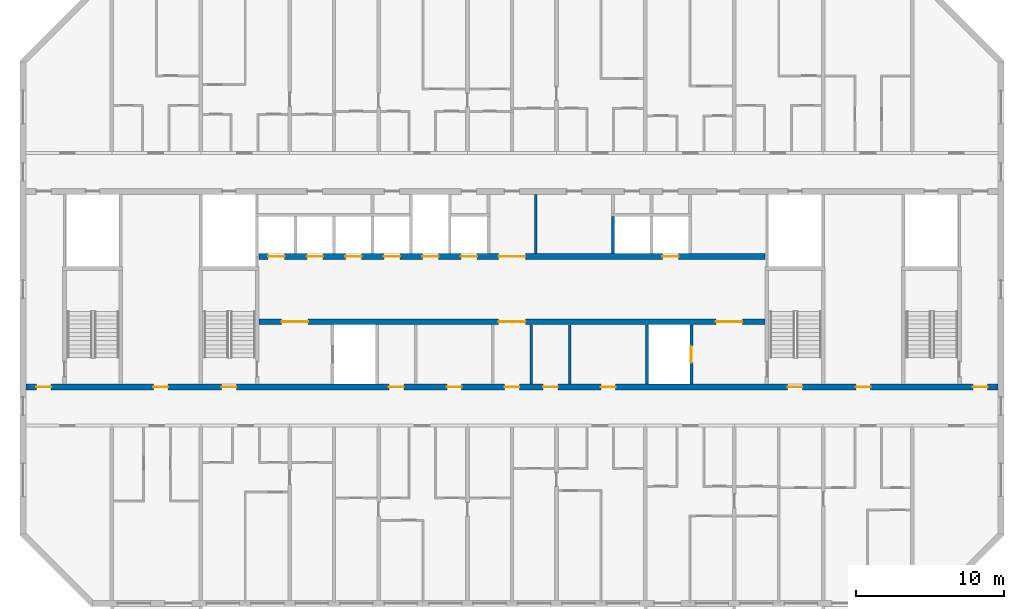
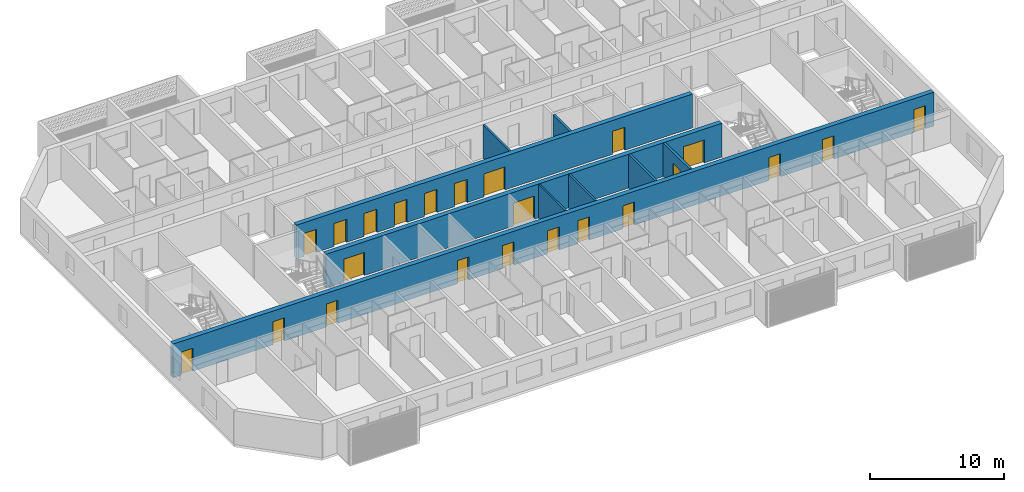
# One storey, part 6 of 28: 23 doors, 9 walls, 23 openings.
"""IFC4 building model written with IfcOpenShell, lengths in metres."""

from ifc_helpers import new_model, si_unit, direction, frame, frame_2d, origin, place, context, subcontext, project, spatial, rectangle, extrude, material, layer, layer_set, type_object, element, fill, save


model = new_model("IFC4")

# Units and contexts
model_context = context("Model", 3, precision=1e-05, world=origin(), true_north=direction((0.0, 1.0)))
body_context = subcontext(model_context, "Body", "Model", "MODEL_VIEW")
ifc_project = project(units=[si_unit("LENGTHUNIT", "METRE"), si_unit("AREAUNIT", "SQUARE_METRE"), si_unit("VOLUMEUNIT", "CUBIC_METRE"), si_unit("PLANEANGLEUNIT", "RADIAN"), si_unit("MASSUNIT", "GRAM", prefix="KILO")], contexts=[model_context])

# Site, building, storey
site_placement = place(None, origin())
site = spatial("IfcSite", under=ifc_project, at=site_placement, CompositionType="ELEMENT")
building_placement = place(site_placement, origin())
building = spatial("IfcBuilding", under=site, at=building_placement, Name="Poui Terraces", CompositionType="ELEMENT")
storey_placement = place(building_placement, frame((0.0, 0.0, 188.39990234375)))
storey = spatial("IfcBuildingStorey", under=building, at=storey_placement, Name="L52", CompositionType="ELEMENT", Elevation=188.39990234375)

# Wall, openings, doors
ifc_material_1 = material(Name="Concrete 50 MPa", Category="concrete")
ifc_layer_1 = layer(ifc_material_1, 0.39990234375)
ifc_layer_set_1 = layer_set([ifc_layer_1], Name="Concrete 50 MPa")
wall_type_1 = type_object("IfcWallType", Name="CORE WALL 400 50 MPA", PredefinedType="SOLIDWALL", material=ifc_layer_set_1)
wall_1_placement = place(storey_placement, frame((33.925048828125, 19.0, 0.0), z_axis=(0.0, 0.0, 1.0), x_axis=(1.0, 0.0, 0.0)))
wall_1 = element("IfcWall", 1, at=wall_1_placement, inside=storey, type_object=wall_type_1, Name="CORE WALL", PredefinedType="SOLIDWALL", context=body_context, shape_type="SweptSolid", body=[
    extrude(rectangle(XDim=34.14990234375, YDim=0.39990234375, at=frame_2d((17.074951171875, 0.0))), origin(), (0.0, 0.0, 1.0), 3.080078125),
])
opening_1_placement = place(wall_1_placement, frame((16.175048828125, 0.0, 0.0)))
opening_1 = element("IfcOpeningElement", 2, at=opening_1_placement, cuts=wall_1, Name="Opening FDD60", PredefinedType="OPENING", context=body_context, shape_type="SweptSolid", body=[
    extrude(rectangle(XDim=1.800048828125, YDim=2.10009765625, at=frame_2d((0.89990234375, 1.050048828125))), frame((0.0, 0.2099609375, 0.0), z_axis=(0.0, -1.0, 0.0), x_axis=(1.0, 0.0, 0.0)), (0.0, 0.0, 1.0), 0.419921875),
])
opening_2_placement = place(wall_1_placement, frame((1.52490234375, 0.0, 0.0)))
opening_2 = element("IfcOpeningElement", 3, at=opening_2_placement, cuts=wall_1, Name="Opening FDD60", PredefinedType="OPENING", context=body_context, shape_type="SweptSolid", body=[
    extrude(rectangle(XDim=1.800048828125, YDim=2.10009765625, at=frame_2d((0.89990234375, 1.050048828125))), frame((0.0, 0.2099609375, 0.0), z_axis=(0.0, -1.0, 0.0), x_axis=(1.0, 0.0, 0.0)), (0.0, 0.0, 1.0), 0.419921875),
])
opening_3_placement = place(wall_1_placement, frame((30.824951171875, 0.0, 0.0)))
opening_3 = element("IfcOpeningElement", 4, at=opening_3_placement, cuts=wall_1, Name="Opening FDD60", PredefinedType="OPENING", context=body_context, shape_type="SweptSolid", body=[
    extrude(rectangle(XDim=1.800048828125, YDim=2.10009765625, at=frame_2d((0.89990234375, 1.050048828125))), frame((0.0, 0.2099609375, 0.0), z_axis=(0.0, -1.0, 0.0), x_axis=(1.0, 0.0, 0.0)), (0.0, 0.0, 1.0), 0.419921875),
])
ifc_material_2 = material(Name="Steel fire door", Category="steel")
door_type_1 = type_object("IfcDoorType", Name="DOUBLE LOBBY FIRE DOOR 1800 X 2100", OperationType="DOUBLE_DOOR_SINGLE_SWING", PredefinedType="DOOR", material=ifc_material_2)
door_1_placement = place(opening_1_placement, frame((1.800048828125, 0.0, 0.0), z_axis=(0.0, 0.0, 1.0), x_axis=(-1.0, 0.0, 0.0)))
door_1 = element("IfcDoor", 5, at=door_1_placement, inside=storey, type_object=door_type_1, Name="DOUBLE LOBBY FIRE DOOR 107", OperationType="DOUBLE_DOOR_SINGLE_SWING", OverallHeight=2.10009765625, OverallWidth=1.800048828125, PredefinedType="DOOR", context=body_context, shape_type="SweptSolid", body=[
    extrude(rectangle(XDim=1.800048828125, YDim=2.10009765625, at=frame_2d((0.89990234375, 1.050048828125))), frame((0.0, 0.02490234375, 0.0), z_axis=(0.0, -1.0, 0.0), x_axis=(1.0, 0.0, 0.0)), (0.0, 0.0, 1.0), 0.050048828125),
])
fill(opening_1, door_1)
door_2_placement = place(opening_2_placement, origin())
door_2 = element("IfcDoor", 6, at=door_2_placement, inside=storey, type_object=door_type_1, Name="DOUBLE LOBBY FIRE DOOR 109", OperationType="DOUBLE_DOOR_SINGLE_SWING", OverallHeight=2.10009765625, OverallWidth=1.800048828125, PredefinedType="DOOR", context=body_context, shape_type="SweptSolid", body=[
    extrude(rectangle(XDim=1.800048828125, YDim=2.10009765625, at=frame_2d((0.89990234375, 1.050048828125))), frame((0.0, 0.02490234375, 0.0), z_axis=(0.0, -1.0, 0.0), x_axis=(1.0, 0.0, 0.0)), (0.0, 0.0, 1.0), 0.050048828125),
])
fill(opening_2, door_2)
door_3_placement = place(opening_3_placement, origin())
door_3 = element("IfcDoor", 7, at=door_3_placement, inside=storey, type_object=door_type_1, Name="DOUBLE LOBBY FIRE DOOR 116", OperationType="DOUBLE_DOOR_SINGLE_SWING", OverallHeight=2.10009765625, OverallWidth=1.800048828125, PredefinedType="DOOR", context=body_context, shape_type="SweptSolid", body=[
    extrude(rectangle(XDim=1.800048828125, YDim=2.10009765625, at=frame_2d((0.89990234375, 1.050048828125))), frame((0.0, 0.02490234375, 0.0), z_axis=(0.0, -1.0, 0.0), x_axis=(1.0, 0.0, 0.0)), (0.0, 0.0, 1.0), 0.050048828125),
])
fill(opening_3, door_3)

wall_2_placement = place(storey_placement, frame((33.925048828125, 23.39990234375, 0.0), z_axis=(0.0, 0.0, 1.0), x_axis=(1.0, 0.0, 0.0)))
wall_2 = element("IfcWall", 8, at=wall_2_placement, inside=storey, type_object=wall_type_1, Name="CORE WALL", PredefinedType="SOLIDWALL", context=body_context, shape_type="SweptSolid", body=[
    extrude(rectangle(XDim=34.14990234375, YDim=0.39990234375, at=frame_2d((17.074951171875, 0.0))), origin(), (0.0, 0.0, 1.0), 3.080078125),
])
opening_4_placement = place(wall_2_placement, frame((16.175048828125, 0.0, 0.0)))
opening_4 = element("IfcOpeningElement", 9, at=opening_4_placement, cuts=wall_2, Name="Opening FDD60", PredefinedType="OPENING", context=body_context, shape_type="SweptSolid", body=[
    extrude(rectangle(XDim=1.800048828125, YDim=2.10009765625, at=frame_2d((0.89990234375, 1.050048828125))), frame((0.0, 0.2099609375, 0.0), z_axis=(0.0, -1.0, 0.0), x_axis=(1.0, 0.0, 0.0)), (0.0, 0.0, 1.0), 0.419921875),
])
opening_5_placement = place(wall_2_placement, frame((0.625, 0.0, 0.0)))
opening_5 = element("IfcOpeningElement", 10, at=opening_5_placement, cuts=wall_2, Name="Opening LD", PredefinedType="OPENING", context=body_context, shape_type="SweptSolid", body=[
    extrude(rectangle(XDim=1.10009765625, YDim=2.10009765625, at=frame_2d((0.550048828125, 1.050048828125))), frame((0.0, 0.2099609375, 0.0), z_axis=(0.0, -1.0, 0.0), x_axis=(1.0, 0.0, 0.0)), (0.0, 0.0, 1.0), 0.419921875),
])
opening_6_placement = place(wall_2_placement, frame((3.22509765625, 0.0, 0.0)))
opening_6 = element("IfcOpeningElement", 11, at=opening_6_placement, cuts=wall_2, Name="Opening LD", PredefinedType="OPENING", context=body_context, shape_type="SweptSolid", body=[
    extrude(rectangle(XDim=1.10009765625, YDim=2.10009765625, at=frame_2d((0.550048828125, 1.050048828125))), frame((0.0, 0.2099609375, 0.0), z_axis=(0.0, -1.0, 0.0), x_axis=(1.0, 0.0, 0.0)), (0.0, 0.0, 1.0), 0.419921875),
])
opening_7_placement = place(wall_2_placement, frame((5.824951171875, 0.0, 0.0)))
opening_7 = element("IfcOpeningElement", 12, at=opening_7_placement, cuts=wall_2, Name="Opening LD", PredefinedType="OPENING", context=body_context, shape_type="SweptSolid", body=[
    extrude(rectangle(XDim=1.10009765625, YDim=2.10009765625, at=frame_2d((0.550048828125, 1.050048828125))), frame((0.0, 0.2099609375, 0.0), z_axis=(0.0, -1.0, 0.0), x_axis=(1.0, 0.0, 0.0)), (0.0, 0.0, 1.0), 0.419921875),
])
opening_8_placement = place(wall_2_placement, frame((8.425048828125, 0.0, 0.0)))
opening_8 = element("IfcOpeningElement", 13, at=opening_8_placement, cuts=wall_2, Name="Opening LD", PredefinedType="OPENING", context=body_context, shape_type="SweptSolid", body=[
    extrude(rectangle(XDim=1.10009765625, YDim=2.10009765625, at=frame_2d((0.550048828125, 1.050048828125))), frame((0.0, 0.2099609375, 0.0), z_axis=(0.0, -1.0, 0.0), x_axis=(1.0, 0.0, 0.0)), (0.0, 0.0, 1.0), 0.419921875),
])
opening_9_placement = place(wall_2_placement, frame((11.02490234375, 0.0, 0.0)))
opening_9 = element("IfcOpeningElement", 14, at=opening_9_placement, cuts=wall_2, Name="Opening LD", PredefinedType="OPENING", context=body_context, shape_type="SweptSolid", body=[
    extrude(rectangle(XDim=1.10009765625, YDim=2.10009765625, at=frame_2d((0.550048828125, 1.050048828125))), frame((0.0, 0.2099609375, 0.0), z_axis=(0.0, -1.0, 0.0), x_axis=(1.0, 0.0, 0.0)), (0.0, 0.0, 1.0), 0.419921875),
])
opening_10_placement = place(wall_2_placement, frame((13.625, 0.0, 0.0)))
opening_10 = element("IfcOpeningElement", 15, at=opening_10_placement, cuts=wall_2, Name="Opening LD", PredefinedType="OPENING", context=body_context, shape_type="SweptSolid", body=[
    extrude(rectangle(XDim=1.10009765625, YDim=2.10009765625, at=frame_2d((0.550048828125, 1.050048828125))), frame((0.0, 0.2099609375, 0.0), z_axis=(0.0, -1.0, 0.0), x_axis=(1.0, 0.0, 0.0)), (0.0, 0.0, 1.0), 0.419921875),
])
opening_11_placement = place(wall_2_placement, frame((27.22509765625, 0.0, 0.0)))
opening_11 = element("IfcOpeningElement", 16, at=opening_11_placement, cuts=wall_2, Name="Opening LD", PredefinedType="OPENING", context=body_context, shape_type="SweptSolid", body=[
    extrude(rectangle(XDim=1.10009765625, YDim=2.10009765625, at=frame_2d((0.550048828125, 1.050048828125))), frame((0.0, 0.2099609375, 0.0), z_axis=(0.0, -1.0, 0.0), x_axis=(1.0, 0.0, 0.0)), (0.0, 0.0, 1.0), 0.419921875),
])
door_4_placement = place(opening_4_placement, origin())
door_4 = element("IfcDoor", 17, at=door_4_placement, inside=storey, type_object=door_type_1, Name="DOUBLE LOBBY FIRE DOOR 106", OperationType="DOUBLE_DOOR_SINGLE_SWING", OverallHeight=2.10009765625, OverallWidth=1.800048828125, PredefinedType="DOOR", context=body_context, shape_type="SweptSolid", body=[
    extrude(rectangle(XDim=1.800048828125, YDim=2.10009765625, at=frame_2d((0.89990234375, 1.050048828125))), frame((0.0, 0.02490234375, 0.0), z_axis=(0.0, -1.0, 0.0), x_axis=(1.0, 0.0, 0.0)), (0.0, 0.0, 1.0), 0.050048828125),
])
fill(opening_4, door_4)
ifc_material_3 = material(Name="Stainless steel sliding door", Category="steel")
door_type_2 = type_object("IfcDoorType", Name="LIFT LANDING DOOR 1100 X 2100", OperationType="DOUBLE_DOOR_SLIDING", PredefinedType="DOOR", material=ifc_material_3)
door_5_placement = place(opening_5_placement, origin())
door_5 = element("IfcDoor", 18, at=door_5_placement, inside=storey, type_object=door_type_2, Name="LANDING DOOR", OperationType="DOUBLE_DOOR_SLIDING", OverallHeight=2.10009765625, OverallWidth=1.10009765625, PredefinedType="DOOR", context=body_context, shape_type="SweptSolid", body=[
    extrude(rectangle(XDim=1.10009765625, YDim=2.10009765625, at=frame_2d((0.550048828125, 1.050048828125))), frame((0.0, 0.02490234375, 0.0), z_axis=(0.0, -1.0, 0.0), x_axis=(1.0, 0.0, 0.0)), (0.0, 0.0, 1.0), 0.050048828125),
])
fill(opening_5, door_5)
door_6_placement = place(opening_6_placement, origin())
door_6 = element("IfcDoor", 19, at=door_6_placement, inside=storey, type_object=door_type_2, Name="LANDING DOOR", OperationType="DOUBLE_DOOR_SLIDING", OverallHeight=2.10009765625, OverallWidth=1.10009765625, PredefinedType="DOOR", context=body_context, shape_type="SweptSolid", body=[
    extrude(rectangle(XDim=1.10009765625, YDim=2.10009765625, at=frame_2d((0.550048828125, 1.050048828125))), frame((0.0, 0.02490234375, 0.0), z_axis=(0.0, -1.0, 0.0), x_axis=(1.0, 0.0, 0.0)), (0.0, 0.0, 1.0), 0.050048828125),
])
fill(opening_6, door_6)
door_7_placement = place(opening_7_placement, origin())
door_7 = element("IfcDoor", 20, at=door_7_placement, inside=storey, type_object=door_type_2, Name="LANDING DOOR", OperationType="DOUBLE_DOOR_SLIDING", OverallHeight=2.10009765625, OverallWidth=1.10009765625, PredefinedType="DOOR", context=body_context, shape_type="SweptSolid", body=[
    extrude(rectangle(XDim=1.10009765625, YDim=2.10009765625, at=frame_2d((0.550048828125, 1.050048828125))), frame((0.0, 0.02490234375, 0.0), z_axis=(0.0, -1.0, 0.0), x_axis=(1.0, 0.0, 0.0)), (0.0, 0.0, 1.0), 0.050048828125),
])
fill(opening_7, door_7)
door_8_placement = place(opening_8_placement, origin())
door_8 = element("IfcDoor", 21, at=door_8_placement, inside=storey, type_object=door_type_2, Name="LANDING DOOR", OperationType="DOUBLE_DOOR_SLIDING", OverallHeight=2.10009765625, OverallWidth=1.10009765625, PredefinedType="DOOR", context=body_context, shape_type="SweptSolid", body=[
    extrude(rectangle(XDim=1.10009765625, YDim=2.10009765625, at=frame_2d((0.550048828125, 1.050048828125))), frame((0.0, 0.02490234375, 0.0), z_axis=(0.0, -1.0, 0.0), x_axis=(1.0, 0.0, 0.0)), (0.0, 0.0, 1.0), 0.050048828125),
])
fill(opening_8, door_8)
door_9_placement = place(opening_9_placement, origin())
door_9 = element("IfcDoor", 22, at=door_9_placement, inside=storey, type_object=door_type_2, Name="LANDING DOOR", OperationType="DOUBLE_DOOR_SLIDING", OverallHeight=2.10009765625, OverallWidth=1.10009765625, PredefinedType="DOOR", context=body_context, shape_type="SweptSolid", body=[
    extrude(rectangle(XDim=1.10009765625, YDim=2.10009765625, at=frame_2d((0.550048828125, 1.050048828125))), frame((0.0, 0.02490234375, 0.0), z_axis=(0.0, -1.0, 0.0), x_axis=(1.0, 0.0, 0.0)), (0.0, 0.0, 1.0), 0.050048828125),
])
fill(opening_9, door_9)
door_10_placement = place(opening_10_placement, origin())
door_10 = element("IfcDoor", 23, at=door_10_placement, inside=storey, type_object=door_type_2, Name="LANDING DOOR", OperationType="DOUBLE_DOOR_SLIDING", OverallHeight=2.10009765625, OverallWidth=1.10009765625, PredefinedType="DOOR", context=body_context, shape_type="SweptSolid", body=[
    extrude(rectangle(XDim=1.10009765625, YDim=2.10009765625, at=frame_2d((0.550048828125, 1.050048828125))), frame((0.0, 0.02490234375, 0.0), z_axis=(0.0, -1.0, 0.0), x_axis=(1.0, 0.0, 0.0)), (0.0, 0.0, 1.0), 0.050048828125),
])
fill(opening_10, door_10)
door_11_placement = place(opening_11_placement, origin())
door_11 = element("IfcDoor", 24, at=door_11_placement, inside=storey, type_object=door_type_2, Name="LANDING DOOR", OperationType="DOUBLE_DOOR_SLIDING", OverallHeight=2.10009765625, OverallWidth=1.10009765625, PredefinedType="DOOR", context=body_context, shape_type="SweptSolid", body=[
    extrude(rectangle(XDim=1.10009765625, YDim=2.10009765625, at=frame_2d((0.550048828125, 1.050048828125))), frame((0.0, 0.02490234375, 0.0), z_axis=(0.0, -1.0, 0.0), x_axis=(1.0, 0.0, 0.0)), (0.0, 0.0, 1.0), 0.050048828125),
])
fill(opening_11, door_11)

# Walls
ifc_material_4 = material(Name="Fire-rated plasterboard wall")
ifc_layer_2 = layer(ifc_material_4, 0.14990234375)
ifc_layer_set_2 = layer_set([ifc_layer_2], Name="Fire-rated plasterboard wall")
wall_type_2 = type_object("IfcWallType", Name="CORRIDOR WALL 150", PredefinedType="PARTITIONING", material=ifc_layer_set_2)
for number, where, z_axis, x_axis, name in (
    (25, (52.300048828125, 14.81005859375, 0.0), (0.0, 0.0, 1.0), (0.0, 1.0, 0.0), "CORRIDOR WALL 150"),
    (26, (52.60009765625, 23.610107421875, 0.0), (0.0, 0.0, 1.0), (0.0, 1.0, 0.0), "CORRIDOR WALL 150"),
):
    element("IfcWall", number, at=place(storey_placement, frame(where, z_axis=z_axis, x_axis=x_axis)), inside=storey, type_object=wall_type_2, Name=name, PredefinedType="PARTITIONING", context=body_context, shape_type="SweptSolid", body=[
        extrude(rectangle(XDim=3.97998046875, YDim=0.14990234375, at=frame_2d((1.989990234375, 0.0))), origin(), (0.0, 0.0, 1.0), 3.080078125),
    ])
ifc_material_5 = material(Name="Plasterboard partition")
ifc_layer_3 = layer(ifc_material_5, 0.14990234375)
ifc_layer_set_3 = layer_set([ifc_layer_3], Name="Plasterboard partition")
wall_type_3 = type_object("IfcWallType", Name="PARTITION WALL 150", PredefinedType="PARTITIONING", material=ifc_layer_set_3)
wall_3_placement = place(storey_placement, frame((54.89990234375, 14.81005859375, 0.0), z_axis=(0.0, 0.0, 1.0), x_axis=(0.0, 1.0, 0.0)))
element("IfcWall", 27, at=wall_3_placement, inside=storey, type_object=wall_type_3, Name="PARTITION WALL 150", PredefinedType="PARTITIONING", context=body_context, shape_type="SweptSolid", body=[
    extrude(rectangle(XDim=3.97998046875, YDim=0.14990234375, at=frame_2d((1.989990234375, 0.0))), origin(), (0.0, 0.0, 1.0), 3.080078125),
])
ifc_material_6 = material(Name="Fire-rated masonry shaft wall", Category="masonry")
ifc_layer_4 = layer(ifc_material_6, 0.199951171875)
ifc_layer_set_4 = layer_set([ifc_layer_4], Name="Fire-rated masonry shaft wall")
wall_type_4 = type_object("IfcWallType", Name="SHAFT WALL 200", PredefinedType="PARTITIONING", material=ifc_layer_set_4)
wall_4_placement = place(storey_placement, frame((57.800048828125, 23.610107421875, 0.0), z_axis=(0.0, 0.0, 1.0), x_axis=(0.0, 1.0, 0.0)))
element("IfcWall", 28, at=wall_4_placement, inside=storey, type_object=wall_type_4, Name="SHAFT WALL 200", PredefinedType="PARTITIONING", context=body_context, shape_type="SweptSolid", body=[
    extrude(rectangle(XDim=2.489990234375, YDim=0.199951171875, at=frame_2d((1.2451171875, 0.0))), origin(), (0.0, 0.0, 1.0), 3.080078125),
])
wall_5_placement = place(storey_placement, frame((60.10009765625, 14.81005859375, 0.0), z_axis=(0.0, 0.0, 1.0), x_axis=(0.0, 1.0, 0.0)))
element("IfcWall", 29, at=wall_5_placement, inside=storey, type_object=wall_type_4, Name="SHAFT WALL 200", PredefinedType="PARTITIONING", context=body_context, shape_type="SweptSolid", body=[
    extrude(rectangle(XDim=3.97998046875, YDim=0.199951171875, at=frame_2d((1.989990234375, 0.0))), origin(), (0.0, 0.0, 1.0), 3.080078125),
])

# Wall, opening, door
wall_6_placement = place(storey_placement, frame((63.10009765625, 14.81005859375, 0.0), z_axis=(0.0, 0.0, 1.0), x_axis=(0.0, 1.0, 0.0)))
wall_6 = element("IfcWall", 30, at=wall_6_placement, inside=storey, type_object=wall_type_4, Name="SHAFT WALL 200", PredefinedType="PARTITIONING", context=body_context, shape_type="SweptSolid", body=[
    extrude(rectangle(XDim=3.97998046875, YDim=0.199951171875, at=frame_2d((1.989990234375, 0.0))), origin(), (0.0, 0.0, 1.0), 3.080078125),
])
opening_12_placement = place(wall_6_placement, frame((1.43994140625, 0.0, 0.0)))
opening_12 = element("IfcOpeningElement", 31, at=opening_12_placement, cuts=wall_6, Name="Opening LD", PredefinedType="OPENING", context=body_context, shape_type="SweptSolid", body=[
    extrude(rectangle(XDim=1.10009765625, YDim=2.10009765625, at=frame_2d((0.550048828125, 1.050048828125))), frame((0.0, 0.10986328125, 0.0), z_axis=(0.0, -1.0, 0.0), x_axis=(1.0, 0.0, 0.0)), (0.0, 0.0, 1.0), 0.219970703125),
])
door_12_placement = place(opening_12_placement, origin())
door_12 = element("IfcDoor", 32, at=door_12_placement, inside=storey, type_object=door_type_2, Name="LANDING DOOR", OperationType="DOUBLE_DOOR_SLIDING", OverallHeight=2.10009765625, OverallWidth=1.10009765625, PredefinedType="DOOR", context=body_context, shape_type="SweptSolid", body=[
    extrude(rectangle(XDim=1.10009765625, YDim=2.10009765625, at=frame_2d((0.550048828125, 1.050048828125))), frame((0.0, 0.02490234375, 0.0), z_axis=(0.0, -1.0, 0.0), x_axis=(1.0, 0.0, 0.0)), (0.0, 0.0, 1.0), 0.050048828125),
])
fill(opening_12, door_12)

# Wall, openings, doors
ifc_layer_5 = layer(ifc_material_1, 0.39990234375)
ifc_layer_set_5 = layer_set([ifc_layer_5], Name="Concrete 50 MPa")
wall_type_5 = type_object("IfcWallType", Name="SPINE WALL 400 50 MPA", PredefinedType="SOLIDWALL", material=ifc_layer_set_5)
wall_7_placement = place(storey_placement, frame((18.199951171875, 14.60009765625, 0.0), z_axis=(0.0, 0.0, 1.0), x_axis=(1.0, 0.0, 0.0)))
wall_7 = element("IfcWall", 33, at=wall_7_placement, inside=storey, type_object=wall_type_5, Name="SPINE WALL", PredefinedType="SOLIDWALL", context=body_context, shape_type="SweptSolid", body=[
    extrude(rectangle(XDim=65.60009765625, YDim=0.39990234375, at=frame_2d((32.800048828125, 0.0))), origin(), (0.0, 0.0, 1.0), 3.080078125),
])
opening_13_placement = place(wall_7_placement, frame((0.699951171875, 0.0, 0.0)))
opening_13 = element("IfcOpeningElement", 34, at=opening_13_placement, cuts=wall_7, Name="Opening FDL", PredefinedType="OPENING", context=body_context, shape_type="SweptSolid", body=[
    extrude(rectangle(XDim=1.0, YDim=2.10009765625, at=frame_2d((0.5, 1.050048828125))), frame((0.0, 0.2099609375, 0.0), z_axis=(0.0, -1.0, 0.0), x_axis=(1.0, 0.0, 0.0)), (0.0, 0.0, 1.0), 0.419921875),
])
opening_14_placement = place(wall_7_placement, frame((8.60009765625, 0.0, 0.0)))
opening_14 = element("IfcOpeningElement", 35, at=opening_14_placement, cuts=wall_7, Name="Opening D100", PredefinedType="OPENING", context=body_context, shape_type="SweptSolid", body=[
    extrude(rectangle(XDim=1.0, YDim=2.10009765625, at=frame_2d((0.5, 1.050048828125))), frame((0.0, 0.2099609375, 0.0), z_axis=(0.0, -1.0, 0.0), x_axis=(1.0, 0.0, 0.0)), (0.0, 0.0, 1.0), 0.419921875),
])
opening_15_placement = place(wall_7_placement, frame((13.199951171875, 0.0, 0.0)))
opening_15 = element("IfcOpeningElement", 36, at=opening_15_placement, cuts=wall_7, Name="Opening FD60S", PredefinedType="OPENING", context=body_context, shape_type="SweptSolid", body=[
    extrude(rectangle(XDim=1.0, YDim=2.10009765625, at=frame_2d((0.5, 1.050048828125))), frame((0.0, 0.2099609375, 0.0), z_axis=(0.0, -1.0, 0.0), x_axis=(1.0, 0.0, 0.0)), (0.0, 0.0, 1.0), 0.419921875),
])
opening_16_placement = place(wall_7_placement, frame((24.5, 0.0, 0.0)))
opening_16 = element("IfcOpeningElement", 37, at=opening_16_placement, cuts=wall_7, Name="Opening FD60", PredefinedType="OPENING", context=body_context, shape_type="SweptSolid", body=[
    extrude(rectangle(XDim=1.0, YDim=2.10009765625, at=frame_2d((0.5, 1.050048828125))), frame((0.0, 0.2099609375, 0.0), z_axis=(0.0, -1.0, 0.0), x_axis=(1.0, 0.0, 0.0)), (0.0, 0.0, 1.0), 0.419921875),
])
opening_17_placement = place(wall_7_placement, frame((28.39990234375, 0.0, 0.0)))
opening_17 = element("IfcOpeningElement", 38, at=opening_17_placement, cuts=wall_7, Name="Opening FD60", PredefinedType="OPENING", context=body_context, shape_type="SweptSolid", body=[
    extrude(rectangle(XDim=1.0, YDim=2.10009765625, at=frame_2d((0.5, 1.050048828125))), frame((0.0, 0.2099609375, 0.0), z_axis=(0.0, -1.0, 0.0), x_axis=(1.0, 0.0, 0.0)), (0.0, 0.0, 1.0), 0.419921875),
])
opening_18_placement = place(wall_7_placement, frame((32.300048828125, 0.0, 0.0)))
opening_18 = element("IfcOpeningElement", 39, at=opening_18_placement, cuts=wall_7, Name="Opening FDL", PredefinedType="OPENING", context=body_context, shape_type="SweptSolid", body=[
    extrude(rectangle(XDim=1.0, YDim=2.10009765625, at=frame_2d((0.5, 1.050048828125))), frame((0.0, 0.2099609375, 0.0), z_axis=(0.0, -1.0, 0.0), x_axis=(1.0, 0.0, 0.0)), (0.0, 0.0, 1.0), 0.419921875),
])
opening_19_placement = place(wall_7_placement, frame((34.89990234375, 0.0, 0.0)))
opening_19 = element("IfcOpeningElement", 40, at=opening_19_placement, cuts=wall_7, Name="Opening FD60", PredefinedType="OPENING", context=body_context, shape_type="SweptSolid", body=[
    extrude(rectangle(XDim=1.0, YDim=2.10009765625, at=frame_2d((0.5, 1.050048828125))), frame((0.0, 0.2099609375, 0.0), z_axis=(0.0, -1.0, 0.0), x_axis=(1.0, 0.0, 0.0)), (0.0, 0.0, 1.0), 0.419921875),
])
opening_20_placement = place(wall_7_placement, frame((38.800048828125, 0.0, 0.0)))
opening_20 = element("IfcOpeningElement", 41, at=opening_20_placement, cuts=wall_7, Name="Opening FD60", PredefinedType="OPENING", context=body_context, shape_type="SweptSolid", body=[
    extrude(rectangle(XDim=1.0, YDim=2.10009765625, at=frame_2d((0.5, 1.050048828125))), frame((0.0, 0.2099609375, 0.0), z_axis=(0.0, -1.0, 0.0), x_axis=(1.0, 0.0, 0.0)), (0.0, 0.0, 1.0), 0.419921875),
])
opening_21_placement = place(wall_7_placement, frame((51.39990234375, 0.0, 0.0)))
opening_21 = element("IfcOpeningElement", 42, at=opening_21_placement, cuts=wall_7, Name="Opening FD60S", PredefinedType="OPENING", context=body_context, shape_type="SweptSolid", body=[
    extrude(rectangle(XDim=1.0, YDim=2.10009765625, at=frame_2d((0.5, 1.050048828125))), frame((0.0, 0.2099609375, 0.0), z_axis=(0.0, -1.0, 0.0), x_axis=(1.0, 0.0, 0.0)), (0.0, 0.0, 1.0), 0.419921875),
])
opening_22_placement = place(wall_7_placement, frame((56.0, 0.0, 0.0)))
opening_22 = element("IfcOpeningElement", 43, at=opening_22_placement, cuts=wall_7, Name="Opening D100", PredefinedType="OPENING", context=body_context, shape_type="SweptSolid", body=[
    extrude(rectangle(XDim=1.0, YDim=2.10009765625, at=frame_2d((0.5, 1.050048828125))), frame((0.0, 0.2099609375, 0.0), z_axis=(0.0, -1.0, 0.0), x_axis=(1.0, 0.0, 0.0)), (0.0, 0.0, 1.0), 0.419921875),
])
opening_23_placement = place(wall_7_placement, frame((63.89990234375, 0.0, 0.0)))
opening_23 = element("IfcOpeningElement", 44, at=opening_23_placement, cuts=wall_7, Name="Opening FDL", PredefinedType="OPENING", context=body_context, shape_type="SweptSolid", body=[
    extrude(rectangle(XDim=1.0, YDim=2.10009765625, at=frame_2d((0.5, 1.050048828125))), frame((0.0, 0.2099609375, 0.0), z_axis=(0.0, -1.0, 0.0), x_axis=(1.0, 0.0, 0.0)), (0.0, 0.0, 1.0), 0.419921875),
])
ifc_material_7 = material(Name="Solid core timber door", Category="wood")
door_type_3 = type_object("IfcDoorType", Name="ACCESSIBLE INTERNAL DOOR 1000 X 2100", OperationType="NOTDEFINED", PredefinedType="DOOR", material=ifc_material_7)
door_13_placement = place(opening_14_placement, frame((1.0, 0.0, 0.0), z_axis=(0.0, 0.0, 1.0), x_axis=(-1.0, 0.0, 0.0)))
door_13 = element("IfcDoor", 45, at=door_13_placement, inside=storey, type_object=door_type_3, Name="ACCESSIBLE INTERNAL DOOR 016", OperationType="SINGLE_SWING_RIGHT", OverallHeight=2.10009765625, OverallWidth=1.0, PredefinedType="DOOR", context=body_context, shape_type="SweptSolid", body=[
    extrude(rectangle(XDim=1.0, YDim=2.10009765625, at=frame_2d((0.5, 1.050048828125))), frame((0.0, 0.02490234375, 0.0), z_axis=(0.0, -1.0, 0.0), x_axis=(1.0, 0.0, 0.0)), (0.0, 0.0, 1.0), 0.050048828125),
])
fill(opening_14, door_13)
door_14_placement = place(opening_22_placement, frame((1.0, 0.0, 0.0), z_axis=(0.0, 0.0, 1.0), x_axis=(-1.0, 0.0, 0.0)))
door_14 = element("IfcDoor", 46, at=door_14_placement, inside=storey, type_object=door_type_3, Name="ACCESSIBLE INTERNAL DOOR 024", OperationType="SINGLE_SWING_LEFT", OverallHeight=2.10009765625, OverallWidth=1.0, PredefinedType="DOOR", context=body_context, shape_type="SweptSolid", body=[
    extrude(rectangle(XDim=1.0, YDim=2.10009765625, at=frame_2d((0.5, 1.050048828125))), frame((0.0, 0.02490234375, 0.0), z_axis=(0.0, -1.0, 0.0), x_axis=(1.0, 0.0, 0.0)), (0.0, 0.0, 1.0), 0.050048828125),
])
fill(opening_22, door_14)
door_type_4 = type_object("IfcDoorType", Name="LOBBY FIRE DOOR 1000 X 2100", OperationType="NOTDEFINED", PredefinedType="DOOR", material=ifc_material_2)
door_15_placement = place(opening_13_placement, frame((1.0, 0.0, 0.0), z_axis=(0.0, 0.0, 1.0), x_axis=(-1.0, 0.0, 0.0)))
door_15 = element("IfcDoor", 47, at=door_15_placement, inside=storey, type_object=door_type_4, Name="LOBBY FIRE DOOR 015", OperationType="SINGLE_SWING_RIGHT", OverallHeight=2.10009765625, OverallWidth=1.0, PredefinedType="DOOR", context=body_context, shape_type="SweptSolid", body=[
    extrude(rectangle(XDim=1.0, YDim=2.10009765625, at=frame_2d((0.5, 1.050048828125))), frame((0.0, 0.02490234375, 0.0), z_axis=(0.0, -1.0, 0.0), x_axis=(1.0, 0.0, 0.0)), (0.0, 0.0, 1.0), 0.050048828125),
])
fill(opening_13, door_15)
door_16_placement = place(opening_18_placement, frame((1.0, 0.0, 0.0), z_axis=(0.0, 0.0, 1.0), x_axis=(-1.0, 0.0, 0.0)))
door_16 = element("IfcDoor", 48, at=door_16_placement, inside=storey, type_object=door_type_4, Name="LOBBY FIRE DOOR 020", OperationType="SINGLE_SWING_LEFT", OverallHeight=2.10009765625, OverallWidth=1.0, PredefinedType="DOOR", context=body_context, shape_type="SweptSolid", body=[
    extrude(rectangle(XDim=1.0, YDim=2.10009765625, at=frame_2d((0.5, 1.050048828125))), frame((0.0, 0.02490234375, 0.0), z_axis=(0.0, -1.0, 0.0), x_axis=(1.0, 0.0, 0.0)), (0.0, 0.0, 1.0), 0.050048828125),
])
fill(opening_18, door_16)
door_17_placement = place(opening_23_placement, frame((1.0, 0.0, 0.0), z_axis=(0.0, 0.0, 1.0), x_axis=(-1.0, 0.0, 0.0)))
door_17 = element("IfcDoor", 49, at=door_17_placement, inside=storey, type_object=door_type_4, Name="LOBBY FIRE DOOR 025", OperationType="SINGLE_SWING_LEFT", OverallHeight=2.10009765625, OverallWidth=1.0, PredefinedType="DOOR", context=body_context, shape_type="SweptSolid", body=[
    extrude(rectangle(XDim=1.0, YDim=2.10009765625, at=frame_2d((0.5, 1.050048828125))), frame((0.0, 0.02490234375, 0.0), z_axis=(0.0, -1.0, 0.0), x_axis=(1.0, 0.0, 0.0)), (0.0, 0.0, 1.0), 0.050048828125),
])
fill(opening_23, door_17)
door_type_5 = type_object("IfcDoorType", Name="SERVICE ROOM FIRE DOOR 1000 X 2100", OperationType="NOTDEFINED", PredefinedType="DOOR", material=ifc_material_2)
door_18_placement = place(opening_16_placement, frame((1.0, 0.0, 0.0), z_axis=(0.0, 0.0, 1.0), x_axis=(-1.0, 0.0, 0.0)))
door_18 = element("IfcDoor", 50, at=door_18_placement, inside=storey, type_object=door_type_5, Name="SERVICE ROOM FIRE DOOR 018", OperationType="SINGLE_SWING_LEFT", OverallHeight=2.10009765625, OverallWidth=1.0, PredefinedType="DOOR", context=body_context, shape_type="SweptSolid", body=[
    extrude(rectangle(XDim=1.0, YDim=2.10009765625, at=frame_2d((0.5, 1.050048828125))), frame((0.0, 0.02490234375, 0.0), z_axis=(0.0, -1.0, 0.0), x_axis=(1.0, 0.0, 0.0)), (0.0, 0.0, 1.0), 0.050048828125),
])
fill(opening_16, door_18)
door_19_placement = place(opening_17_placement, frame((1.0, 0.0, 0.0), z_axis=(0.0, 0.0, 1.0), x_axis=(-1.0, 0.0, 0.0)))
door_19 = element("IfcDoor", 51, at=door_19_placement, inside=storey, type_object=door_type_5, Name="SERVICE ROOM FIRE DOOR 019", OperationType="SINGLE_SWING_RIGHT", OverallHeight=2.10009765625, OverallWidth=1.0, PredefinedType="DOOR", context=body_context, shape_type="SweptSolid", body=[
    extrude(rectangle(XDim=1.0, YDim=2.10009765625, at=frame_2d((0.5, 1.050048828125))), frame((0.0, 0.02490234375, 0.0), z_axis=(0.0, -1.0, 0.0), x_axis=(1.0, 0.0, 0.0)), (0.0, 0.0, 1.0), 0.050048828125),
])
fill(opening_17, door_19)
door_20_placement = place(opening_19_placement, frame((1.0, 0.0, 0.0), z_axis=(0.0, 0.0, 1.0), x_axis=(-1.0, 0.0, 0.0)))
door_20 = element("IfcDoor", 52, at=door_20_placement, inside=storey, type_object=door_type_5, Name="SERVICE ROOM FIRE DOOR 021", OperationType="SINGLE_SWING_LEFT", OverallHeight=2.10009765625, OverallWidth=1.0, PredefinedType="DOOR", context=body_context, shape_type="SweptSolid", body=[
    extrude(rectangle(XDim=1.0, YDim=2.10009765625, at=frame_2d((0.5, 1.050048828125))), frame((0.0, 0.02490234375, 0.0), z_axis=(0.0, -1.0, 0.0), x_axis=(1.0, 0.0, 0.0)), (0.0, 0.0, 1.0), 0.050048828125),
])
fill(opening_19, door_20)
door_21_placement = place(opening_20_placement, frame((1.0, 0.0, 0.0), z_axis=(0.0, 0.0, 1.0), x_axis=(-1.0, 0.0, 0.0)))
door_21 = element("IfcDoor", 53, at=door_21_placement, inside=storey, type_object=door_type_5, Name="SERVICE ROOM FIRE DOOR 022", OperationType="SINGLE_SWING_RIGHT", OverallHeight=2.10009765625, OverallWidth=1.0, PredefinedType="DOOR", context=body_context, shape_type="SweptSolid", body=[
    extrude(rectangle(XDim=1.0, YDim=2.10009765625, at=frame_2d((0.5, 1.050048828125))), frame((0.0, 0.02490234375, 0.0), z_axis=(0.0, -1.0, 0.0), x_axis=(1.0, 0.0, 0.0)), (0.0, 0.0, 1.0), 0.050048828125),
])
fill(opening_20, door_21)
door_type_6 = type_object("IfcDoorType", Name="STAIR DOOR 1000 X 2100", OperationType="NOTDEFINED", PredefinedType="DOOR", material=ifc_material_2)
door_22_placement = place(opening_15_placement, origin())
door_22 = element("IfcDoor", 54, at=door_22_placement, inside=storey, type_object=door_type_6, Name="STAIR DOOR 017", OperationType="SINGLE_SWING_RIGHT", OverallHeight=2.10009765625, OverallWidth=1.0, PredefinedType="DOOR", context=body_context, shape_type="SweptSolid", body=[
    extrude(rectangle(XDim=1.0, YDim=2.10009765625, at=frame_2d((0.5, 1.050048828125))), frame((0.0, 0.02490234375, 0.0), z_axis=(0.0, -1.0, 0.0), x_axis=(1.0, 0.0, 0.0)), (0.0, 0.0, 1.0), 0.050048828125),
])
fill(opening_15, door_22)
door_23_placement = place(opening_21_placement, origin())
door_23 = element("IfcDoor", 55, at=door_23_placement, inside=storey, type_object=door_type_6, Name="STAIR DOOR 023", OperationType="SINGLE_SWING_RIGHT", OverallHeight=2.10009765625, OverallWidth=1.0, PredefinedType="DOOR", context=body_context, shape_type="SweptSolid", body=[
    extrude(rectangle(XDim=1.0, YDim=2.10009765625, at=frame_2d((0.5, 1.050048828125))), frame((0.0, 0.02490234375, 0.0), z_axis=(0.0, -1.0, 0.0), x_axis=(1.0, 0.0, 0.0)), (0.0, 0.0, 1.0), 0.050048828125),
])
fill(opening_21, door_23)

save(model, "model.ifc")
